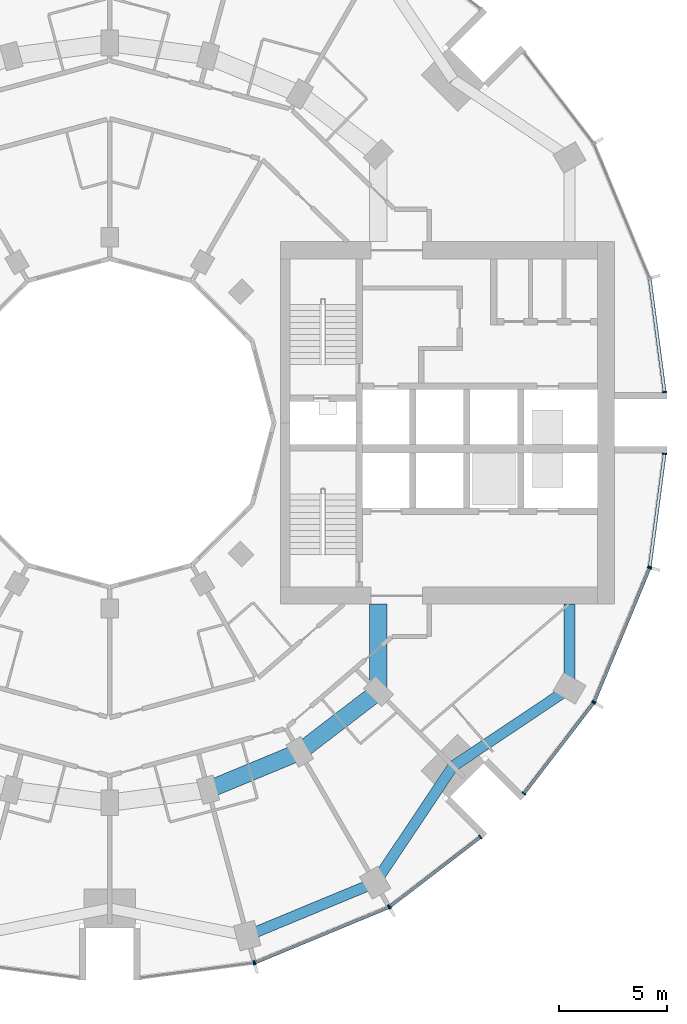
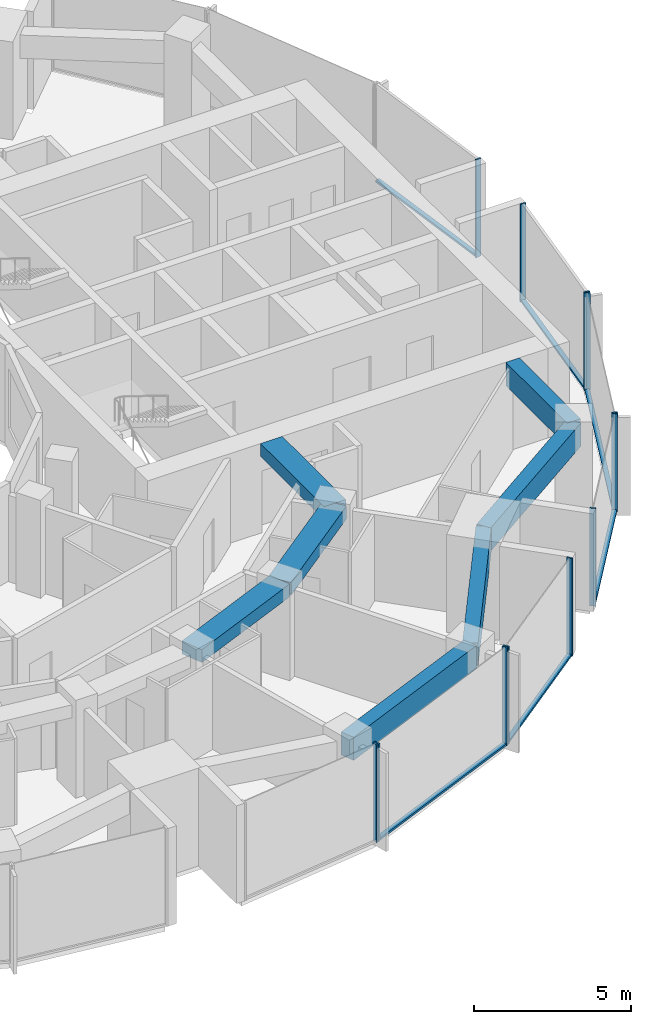
# One storey, part 4 of 15: 18 members, 7 beams, 7 elements without a shape of their own.
"""IFC4 building model written with IfcOpenShell, lengths in metres."""

import ifcopenshell
import ifcopenshell.guid

model = None  # the IFC model being written
_history = None  # IfcOwnerHistory: only IFC2X3 demands one
_inside = {}  # id of a spatial element -> (the spatial element, [elements in it])
_under = {}  # id of a project, library or spatial element -> (it, [spatial elements below it])
_declared = {}  # id of a project -> (the project, [libraries it declares])
_typed = {}  # id of a type object -> (the type object, [elements of that type])
_made_of = {}  # id of a material, layer set ... -> (it, [elements and type objects made of it])


def new_model(schema):
    """Start an empty IFC model of exactly this schema.

    Asked for "IFC4X3", IfcOpenShell would pick the latest addendum, in which some entities
    have other attributes; the version numbers below select the first issue.
    IFC2X3 requires an IfcOwnerHistory on every rooted entity: one is made here for all.
    """
    global model, _history
    if schema == "IFC4X3":
        model = ifcopenshell.file(schema_version=(4, 3, 0, 0))
    else:
        model = ifcopenshell.file(schema=schema)
    _inside.clear()
    _under.clear()
    _declared.clear()
    _typed.clear()
    _made_of.clear()
    _history = None
    if model.schema == "IFC2X3":
        org = make("IfcOrganization", Name="unknown")
        user = make(
            "IfcPersonAndOrganization",
            ThePerson=make("IfcPerson", FamilyName="unknown"),
            TheOrganization=org,
        )
        app = make(
            "IfcApplication",
            ApplicationDeveloper=org,
            Version="unknown",
            ApplicationFullName="unknown",
            ApplicationIdentifier="unknown",
        )
        _history = make(
            "IfcOwnerHistory",
            OwningUser=user,
            OwningApplication=app,
            ChangeAction="ADDED",
            CreationDate=0,
        )
    return model


def make(cls, **values):
    """One entity of the class cls with the attributes given. An attribute that is None is left unset."""
    return model.create_entity(
        cls, **{name: value for name, value in values.items() if value is not None}
    )


def rooted(cls, **values):
    """An entity with a GlobalId (a new one), such as an element, a storey or a relation."""
    return make(cls, GlobalId=ifcopenshell.guid.new(), OwnerHistory=_history, **values)


def si_unit(unit_type, name, prefix=None):
    """IfcSIUnit, for example si_unit("LENGTHUNIT", "METRE", prefix="MILLI")."""
    return make("IfcSIUnit", UnitType=unit_type, Prefix=prefix, Name=name)


def assignment(units):
    """IfcUnitAssignment: the units of a project."""
    return None if units is None else make("IfcUnitAssignment", Units=units)


def point(xyz):
    """IfcCartesianPoint."""
    return None if xyz is None else make("IfcCartesianPoint", Coordinates=xyz)


def direction(xyz):
    """IfcDirection."""
    return None if xyz is None else make("IfcDirection", DirectionRatios=xyz)


def frame(location, z_axis=None, x_axis=None):
    """IfcAxis2Placement3D, a coordinate frame: its origin and axes. An axis left out is left unset."""
    return make(
        "IfcAxis2Placement3D",
        Location=point(location),
        Axis=direction(z_axis),
        RefDirection=direction(x_axis),
    )


def frame_2d(location, x_axis=None):
    """IfcAxis2Placement2D, a coordinate frame in the plane: its origin and x axis."""
    return make(
        "IfcAxis2Placement2D", Location=point(location), RefDirection=direction(x_axis)
    )


def origin():
    """The frame at (0, 0, 0) with its axes left unset."""
    return frame((0.0, 0.0, 0.0))


def origin_2d():
    """The frame at (0, 0) in the plane with its x axis left unset."""
    return frame_2d((0.0, 0.0))


def place(relative_to, where):
    """IfcLocalPlacement: puts the frame where relative to a parent placement (None: the world)."""
    return make(
        "IfcLocalPlacement", PlacementRelTo=relative_to, RelativePlacement=where
    )


def context(
    kind, dimensions, precision=None, world=None, true_north=None, identifier=None
):
    """IfcGeometricRepresentationContext, for example the 3D "Model" context."""
    return make(
        "IfcGeometricRepresentationContext",
        ContextIdentifier=identifier,
        ContextType=kind,
        CoordinateSpaceDimension=dimensions,
        Precision=precision,
        WorldCoordinateSystem=world,
        TrueNorth=true_north,
    )


def subcontext(parent, identifier, kind, view, scale=None):
    """IfcGeometricRepresentationSubContext, for example "Body" below "Model"."""
    return make(
        "IfcGeometricRepresentationSubContext",
        ContextIdentifier=identifier,
        ContextType=kind,
        ParentContext=parent,
        TargetScale=scale,
        TargetView=view,
    )


def project(units=None, contexts=None):
    """IfcProject with its units and contexts."""
    return rooted(
        "IfcProject",
        Name="project",
        RepresentationContexts=contexts,
        UnitsInContext=assignment(units),
    )


def spatial(cls, under=None, at=None, **own):
    """A site, building, storey or space (cls), placed at a placement, below another one or the project."""
    s = rooted(cls, ObjectPlacement=at, **own)
    if under is not None:
        _under.setdefault(under.id(), (under, []))[1].append(s)
    return s


def profile(cls, at=None, kind="AREA", **sizes):
    """A parametric profile (cls). Its sizes go by their IFC names, for example OverallWidth=200.0."""
    return make(cls, ProfileType=kind, Position=at, **sizes)


def rectangle(**sizes):
    """IfcRectangleProfileDef."""
    return profile("IfcRectangleProfileDef", **sizes)


def extrude(swept, where, along, depth):
    """IfcExtrudedAreaSolid: the profile swept, set in the frame where, extruded along a direction by depth."""
    return make(
        "IfcExtrudedAreaSolid",
        SweptArea=swept,
        Position=where,
        ExtrudedDirection=direction(along),
        Depth=depth,
    )


def shape(context_of_items, identifier, shape_type, items):
    """IfcShapeRepresentation: the items that make up one representation, for example the "Body"."""
    return make(
        "IfcShapeRepresentation",
        ContextOfItems=context_of_items,
        RepresentationIdentifier=identifier,
        RepresentationType=shape_type,
        Items=items,
    )


def material(Name=None, Category=None):
    """IfcMaterial."""
    return make("IfcMaterial", Name=Name, Category=Category)


def layer(
    of_material, thickness, ventilated=None, Name=None, Category=None, Priority=None
):
    """IfcMaterialLayer: one layer of a wall or slab, of a material (None: an air gap)."""
    return make(
        "IfcMaterialLayer",
        Material=of_material,
        LayerThickness=thickness,
        IsVentilated=ventilated,
        Name=Name,
        Category=Category,
        Priority=Priority,
    )


def layer_set(layers, Name=None):
    """IfcMaterialLayerSet."""
    return make("IfcMaterialLayerSet", MaterialLayers=layers, LayerSetName=Name)


def material_profile(
    of_material, cross_section, Name=None, Category=None, Priority=None
):
    """IfcMaterialProfile: a cross section and its material."""
    return make(
        "IfcMaterialProfile",
        Name=Name,
        Material=of_material,
        Profile=cross_section,
        Priority=Priority,
        Category=Category,
    )


def profile_set(profiles, Name=None, composite=None):
    """IfcMaterialProfileSet."""
    return make(
        "IfcMaterialProfileSet",
        Name=Name,
        MaterialProfiles=profiles,
        CompositeProfile=composite,
    )


def made_of(thing, what):
    """Note that an element or type object is made of a material, layer set ...; save() writes the relation."""
    if what is not None:
        _made_of.setdefault(what.id(), (what, []))[1].append(thing)
    return thing


def type_object(cls, material=None, **own):
    """A type object (cls), such as IfcWallType, which elements share."""
    return made_of(rooted(cls, **own), material)


def element(
    cls,
    number,
    at=None,
    inside=None,
    cuts=None,
    type_object=None,
    material=None,
    context=None,
    identifier="Body",
    shape_type=None,
    held_by="IfcProductDefinitionShape",
    body=None,
    shapes=None,
    **own,
):
    """One element of the class cls, such as IfcWall. Its Tag is "e" and its number.

    at: its placement. inside: the storey or other place that contains it. cuts: it is an
    opening in that element (IfcRelVoidsElement). A single representation is given by context,
    identifier, shape_type and body (its items); several are given by shapes. held_by: the class
    of the entity that holds the representations. save() writes the other relations.
    """
    e = rooted(cls, Tag="e%d" % number, ObjectPlacement=at, **own)
    if body is not None:
        shapes = [shape(context, identifier, shape_type, body)]
    if shapes is not None:
        e.Representation = make(held_by, Representations=shapes)
    if inside is not None:
        _inside.setdefault(inside.id(), (inside, []))[1].append(e)
    if cuts is not None:
        rooted(
            "IfcRelVoidsElement", RelatingBuildingElement=cuts, RelatedOpeningElement=e
        )
    if type_object is not None:
        _typed.setdefault(type_object.id(), (type_object, []))[1].append(e)
    return made_of(e, material)


def aggregate(whole, parts):
    """IfcRelAggregates: a whole, such as a stair, and the parts it consists of."""
    return rooted("IfcRelAggregates", RelatingObject=whole, RelatedObjects=parts)


def save(model, path):
    """Write the relations noted so far, then the file.

    IfcRelAggregates (storeys below a building ...), IfcRelContainedInSpatialStructure (elements
    in a storey), IfcRelDefinesByType, IfcRelAssociatesMaterial and IfcRelDeclares: one each for
    every whole, place, type object, material and project.
    """
    for whole, parts in _under.values():
        aggregate(whole, parts)
    for where, things in _inside.values():
        rooted(
            "IfcRelContainedInSpatialStructure",
            RelatedElements=things,
            RelatingStructure=where,
        )
    for kind, things in _typed.values():
        rooted("IfcRelDefinesByType", RelatedObjects=things, RelatingType=kind)
    for what, things in _made_of.values():
        rooted("IfcRelAssociatesMaterial", RelatedObjects=things, RelatingMaterial=what)
    for by, libraries in _declared.values():
        rooted("IfcRelDeclares", RelatingContext=by, RelatedDefinitions=libraries)
    model.write(path)


model = new_model("IFC4")

# Units and contexts
model_context = context("Model", 3, precision=1e-05, world=origin(), true_north=direction((0.0, 1.0)))
body_context = subcontext(model_context, "Body", "Model", "MODEL_VIEW")
ifc_project = project(units=[si_unit("LENGTHUNIT", "METRE"), si_unit("AREAUNIT", "SQUARE_METRE"), si_unit("VOLUMEUNIT", "CUBIC_METRE"), si_unit("PLANEANGLEUNIT", "RADIAN"), si_unit("MASSUNIT", "GRAM", prefix="KILO")], contexts=[model_context])

# Site, building, storey
site_placement = place(None, origin())
site = spatial("IfcSite", under=ifc_project, at=site_placement, CompositionType="ELEMENT")
building_placement = place(site_placement, origin())
building = spatial("IfcBuilding", under=site, at=building_placement, Name="Torre Brocal", CompositionType="ELEMENT")
storey_placement = place(building_placement, frame((0.0, 0.0, 59.199951171875)))
storey = spatial("IfcBuildingStorey", under=building, at=storey_placement, Name="L13", CompositionType="ELEMENT", Elevation=59.199951171875)

# Curtain wall, member
ifc_material_1 = material(Name="Aluminium and glass", Category="aluminium")
ifc_layer_1 = layer(ifc_material_1, 0.199951171875)
ifc_layer_set_1 = layer_set([ifc_layer_1], Name="Aluminium and glass")
curtain_wall_type_1 = type_object("IfcCurtainWallType", Name="CW-1 CURTAIN WALL 3800 HIGH", PredefinedType="NOTDEFINED", material=ifc_layer_set_1)
curtain_wall_1_placement = place(storey_placement, origin())
curtain_wall_1 = element("IfcCurtainWall", 1, at=curtain_wall_1_placement, inside=storey, type_object=curtain_wall_type_1, Name="CW-1 RUN 19", PredefinedType="NOTDEFINED")
ifc_material_2 = material(Name="Aluminium, dark anodised", Category="aluminium")
ifc_material_profile_1 = material_profile(ifc_material_2, rectangle(XDim=0.199951171875, YDim=0.06005859375, at=origin_2d()), Name="CW-1 MULLION 60X200")
ifc_profile_set_1 = profile_set([ifc_material_profile_1], Name="Aluminium, dark anodised")
member_type_1 = type_object("IfcMemberType", Name="CW-1 MULLION 60X200", PredefinedType="MULLION", material=ifc_profile_set_1)
member_1_placement = place(storey_placement, frame((86.67333984375, 49.9794921875, 0.0), z_axis=(0.0, 0.0, 1.0), x_axis=(-0.13052619222, 0.991444861374, 0.0)))
member_1 = element("IfcMember", 2, at=member_1_placement, type_object=member_type_1, Name="CW1-1 mullion 2", PredefinedType="MULLION", context=body_context, shape_type="SweptSolid", body=[
    extrude(rectangle(XDim=0.199951171875, YDim=0.06005859375, at=origin_2d()), origin(), (0.0, 0.0, 1.0), 3.800048828125),
])
aggregate(curtain_wall_1, [member_1])

# Curtain wall, members
curtain_wall_2_placement = place(storey_placement, origin())
curtain_wall_2 = element("IfcCurtainWall", 3, at=curtain_wall_2_placement, inside=storey, type_object=curtain_wall_type_1, Name="CW-1 RUN 20", PredefinedType="NOTDEFINED")
member_2_placement = place(storey_placement, frame((86.73095703125, 49.994873046875, 0.0), z_axis=(0.0, 0.0, 1.0), x_axis=(-0.382683432333, 0.923879532525, 0.0)))
member_2 = element("IfcMember", 4, at=member_2_placement, type_object=member_type_1, Name="CW1-1 mullion 1", PredefinedType="MULLION", context=body_context, shape_type="SweptSolid", body=[
    extrude(rectangle(XDim=0.199951171875, YDim=0.06005859375, at=origin_2d()), origin(), (0.0, 0.0, 1.0), 3.800048828125),
])
member_3_placement = place(storey_placement, frame((92.921875, 52.559326171875, 0.0), z_axis=(0.0, 0.0, 1.0), x_axis=(-0.382683432333, 0.923879532525, 0.0)))
member_3 = element("IfcMember", 5, at=member_3_placement, type_object=member_type_1, Name="CW1-1 mullion 2", PredefinedType="MULLION", context=body_context, shape_type="SweptSolid", body=[
    extrude(rectangle(XDim=0.199951171875, YDim=0.06005859375, at=origin_2d()), origin(), (0.0, 0.0, 1.0), 3.800048828125),
])

curtain_wall_3_placement = place(storey_placement, origin())
curtain_wall_3 = element("IfcCurtainWall", 6, at=curtain_wall_3_placement, inside=storey, type_object=curtain_wall_type_1, Name="CW-1 RUN 21", PredefinedType="NOTDEFINED")
member_4_placement = place(storey_placement, frame((92.973388671875, 52.5888671875, 0.0), z_axis=(0.0, 0.0, 1.0), x_axis=(-0.60876142905, 0.793353340259, 0.0)))
member_4 = element("IfcMember", 7, at=member_4_placement, type_object=member_type_1, Name="CW1-1 mullion 1", PredefinedType="MULLION", context=body_context, shape_type="SweptSolid", body=[
    extrude(rectangle(XDim=0.199951171875, YDim=0.06005859375, at=origin_2d()), origin(), (0.0, 0.0, 1.0), 3.800048828125),
])
member_5_placement = place(storey_placement, frame((97.16943359375, 55.80859375, 0.0), z_axis=(0.0, 0.0, 1.0), x_axis=(-0.60876142905, 0.793353340259, 0.0)))
member_5 = element("IfcMember", 8, at=member_5_placement, type_object=member_type_1, Name="CW1-1 mullion 2", PredefinedType="MULLION", context=body_context, shape_type="SweptSolid", body=[
    extrude(rectangle(XDim=0.199951171875, YDim=0.06005859375, at=origin_2d()), origin(), (0.0, 0.0, 1.0), 3.800048828125),
])

curtain_wall_4_placement = place(storey_placement, origin())
curtain_wall_4 = element("IfcCurtainWall", 9, at=curtain_wall_4_placement, inside=storey, type_object=curtain_wall_type_1, Name="CW-1 RUN 22", PredefinedType="NOTDEFINED")
member_6_placement = place(storey_placement, frame((99.19140625, 57.83056640625, 0.0), z_axis=(0.0, 0.0, 1.0), x_axis=(-0.793353340259, 0.60876142905, 0.0)))
member_6 = element("IfcMember", 10, at=member_6_placement, type_object=member_type_1, Name="CW1-1 mullion 1", PredefinedType="MULLION", context=body_context, shape_type="SweptSolid", body=[
    extrude(rectangle(XDim=0.199951171875, YDim=0.06005859375, at=origin_2d()), origin(), (0.0, 0.0, 1.0), 3.800048828125),
])
member_7_placement = place(storey_placement, frame((102.4111328125, 62.026611328125, 0.0), z_axis=(0.0, 0.0, 1.0), x_axis=(-0.793353340259, 0.60876142905, 0.0)))
member_7 = element("IfcMember", 11, at=member_7_placement, type_object=member_type_1, Name="CW1-1 mullion 2", PredefinedType="MULLION", context=body_context, shape_type="SweptSolid", body=[
    extrude(rectangle(XDim=0.199951171875, YDim=0.06005859375, at=origin_2d()), origin(), (0.0, 0.0, 1.0), 3.800048828125),
])

curtain_wall_5_placement = place(storey_placement, origin())
curtain_wall_5 = element("IfcCurtainWall", 12, at=curtain_wall_5_placement, inside=storey, type_object=curtain_wall_type_1, Name="CW-1 RUN 23", PredefinedType="NOTDEFINED")
member_8_placement = place(storey_placement, frame((102.440673828125, 62.078125, 0.0), z_axis=(0.0, 0.0, 1.0), x_axis=(-0.923879532525, 0.382683432333, 0.0)))
member_8 = element("IfcMember", 13, at=member_8_placement, type_object=member_type_1, Name="CW1-1 mullion 1", PredefinedType="MULLION", context=body_context, shape_type="SweptSolid", body=[
    extrude(rectangle(XDim=0.199951171875, YDim=0.06005859375, at=origin_2d()), origin(), (0.0, 0.0, 1.0), 3.800048828125),
])
member_9_placement = place(storey_placement, frame((105.005126953125, 68.26904296875, 0.0), z_axis=(0.0, 0.0, 1.0), x_axis=(-0.923879532525, 0.382683432333, 0.0)))
member_9 = element("IfcMember", 14, at=member_9_placement, type_object=member_type_1, Name="CW1-1 mullion 2", PredefinedType="MULLION", context=body_context, shape_type="SweptSolid", body=[
    extrude(rectangle(XDim=0.199951171875, YDim=0.06005859375, at=origin_2d()), origin(), (0.0, 0.0, 1.0), 3.800048828125),
])

# Member
ifc_material_3 = material(Name="Aluminium, dark anodised", Category="aluminium")
ifc_material_profile_2 = material_profile(ifc_material_3, rectangle(XDim=0.159912109375, YDim=0.080078125, at=origin_2d()), Name="CW-1 TRANSOM 160X80")
ifc_profile_set_2 = profile_set([ifc_material_profile_2], Name="Aluminium, dark anodised")
member_type_2 = type_object("IfcMemberType", Name="CW-1 TRANSOM 160X80", PredefinedType="USERDEFINED", material=ifc_profile_set_2)
member_10_placement = place(storey_placement, frame((86.758544921875, 50.00634765625, 0.0400390625), z_axis=(0.923887344364, 0.38266457234, 0.0), x_axis=(-0.38266457234, 0.923887344364, 0.0)))
member_10 = element("IfcMember", 15, at=member_10_placement, type_object=member_type_2, Name="CW1-1 transom 1.1", ObjectType="TRANSOM", PredefinedType="USERDEFINED", context=body_context, shape_type="SweptSolid", body=[
    extrude(rectangle(XDim=0.159912109375, YDim=0.080078125, at=origin_2d()), origin(), (0.0, 0.0, 1.0), 6.640869140625),
])

aggregate(curtain_wall_2, [member_2, member_3, member_10])

member_11_placement = place(storey_placement, frame((92.9970703125, 52.607177734375, 0.0400390625), z_axis=(0.79336281513, 0.60874908096, 0.0), x_axis=(-0.60874908096, 0.79336281513, 0.0)))
member_11 = element("IfcMember", 16, at=member_11_placement, type_object=member_type_2, Name="CW1-1 transom 1.1", ObjectType="TRANSOM", PredefinedType="USERDEFINED", context=body_context, shape_type="SweptSolid", body=[
    extrude(rectangle(XDim=0.159912109375, YDim=0.080078125, at=origin_2d()), origin(), (0.0, 0.0, 1.0), 5.22900390625),
])

aggregate(curtain_wall_3, [member_4, member_5, member_11])

member_12_placement = place(storey_placement, frame((99.209716796875, 57.8544921875, 0.0400390625), z_axis=(0.60874908096, 0.79336281513, 0.0), x_axis=(-0.79336281513, 0.60874908096, 0.0)))
member_12 = element("IfcMember", 17, at=member_12_placement, type_object=member_type_2, Name="CW1-1 transom 1.1", ObjectType="TRANSOM", PredefinedType="USERDEFINED", context=body_context, shape_type="SweptSolid", body=[
    extrude(rectangle(XDim=0.159912109375, YDim=0.080078125, at=origin_2d()), origin(), (0.0, 0.0, 1.0), 5.22900390625),
])

aggregate(curtain_wall_4, [member_6, member_7, member_12])

member_13_placement = place(storey_placement, frame((102.452392578125, 62.10595703125, 0.0400390625), z_axis=(0.38266457234, 0.923887344364, 0.0), x_axis=(-0.923887344364, 0.38266457234, 0.0)))
member_13 = element("IfcMember", 18, at=member_13_placement, type_object=member_type_2, Name="CW1-1 transom 1.1", ObjectType="TRANSOM", PredefinedType="USERDEFINED", context=body_context, shape_type="SweptSolid", body=[
    extrude(rectangle(XDim=0.159912109375, YDim=0.080078125, at=origin_2d()), origin(), (0.0, 0.0, 1.0), 6.640869140625),
])

aggregate(curtain_wall_5, [member_8, member_9, member_13])

# Curtain wall, member
ifc_material_4 = material(Name="Aluminium and glass", Category="aluminium")
ifc_layer_2 = layer(ifc_material_4, 0.199951171875)
ifc_layer_set_2 = layer_set([ifc_layer_2], Name="Aluminium and glass")
curtain_wall_type_2 = type_object("IfcCurtainWallType", Name="CW-1B CURTAIN WALL 3800 HIGH", PredefinedType="NOTDEFINED", material=ifc_layer_set_2)
curtain_wall_6_placement = place(storey_placement, origin())
curtain_wall_6 = element("IfcCurtainWall", 19, at=curtain_wall_6_placement, inside=storey, type_object=curtain_wall_type_2, Name="CW-1B RUN 1", PredefinedType="NOTDEFINED")
ifc_material_5 = material(Name="Aluminium, dark anodised", Category="aluminium")
ifc_material_profile_3 = material_profile(ifc_material_5, rectangle(XDim=0.199951171875, YDim=0.06005859375, at=origin_2d()), Name="CW-1B MULLION 60X200")
ifc_profile_set_3 = profile_set([ifc_material_profile_3], Name="Aluminium, dark anodised")
member_type_3 = type_object("IfcMemberType", Name="CW-1B MULLION 60X200", PredefinedType="MULLION", material=ifc_profile_set_3)
member_14_placement = place(storey_placement, frame((105.7109375, 76.4296875, 0.0), z_axis=(0.0, 0.0, 1.0), x_axis=(-0.991444861374, -0.13052619222, 0.0)))
member_14 = element("IfcMember", 20, at=member_14_placement, type_object=member_type_3, Name="CW1B-1 mullion 1", PredefinedType="MULLION", context=body_context, shape_type="SweptSolid", body=[
    extrude(rectangle(XDim=0.199951171875, YDim=0.06005859375, at=origin_2d()), origin(), (0.0, 0.0, 1.0), 3.800048828125),
])

# Curtain wall, members
curtain_wall_7_placement = place(storey_placement, origin())
curtain_wall_7 = element("IfcCurtainWall", 21, at=curtain_wall_7_placement, inside=storey, type_object=curtain_wall_type_2, Name="CW-1B RUN 24", PredefinedType="NOTDEFINED")
member_15_placement = place(storey_placement, frame((105.0205078125, 68.32666015625, 0.0), z_axis=(0.0, 0.0, 1.0), x_axis=(-0.991444861374, 0.13052619222, 0.0)))
member_15 = element("IfcMember", 22, at=member_15_placement, type_object=member_type_3, Name="CW1B-1 mullion 1", PredefinedType="MULLION", context=body_context, shape_type="SweptSolid", body=[
    extrude(rectangle(XDim=0.199951171875, YDim=0.06005859375, at=origin_2d()), origin(), (0.0, 0.0, 1.0), 3.800048828125),
])
member_16_placement = place(storey_placement, frame((105.7109375, 73.5703125, 0.0), z_axis=(0.0, 0.0, 1.0), x_axis=(-0.991444861374, 0.13052619222, 0.0)))
member_16 = element("IfcMember", 23, at=member_16_placement, type_object=member_type_3, Name="CW1B-1 mullion 2", PredefinedType="MULLION", context=body_context, shape_type="SweptSolid", body=[
    extrude(rectangle(XDim=0.199951171875, YDim=0.06005859375, at=origin_2d()), origin(), (0.0, 0.0, 1.0), 3.800048828125),
])

# Member
ifc_material_6 = material(Name="Aluminium, dark anodised", Category="aluminium")
ifc_material_profile_4 = material_profile(ifc_material_6, rectangle(XDim=0.159912109375, YDim=0.080078125, at=origin_2d()), Name="CW-1B TRANSOM 160X80")
ifc_profile_set_4 = profile_set([ifc_material_profile_4], Name="Aluminium, dark anodised")
member_type_4 = type_object("IfcMemberType", Name="CW-1B TRANSOM 160X80", PredefinedType="USERDEFINED", material=ifc_profile_set_4)
member_17_placement = place(storey_placement, frame((105.70703125, 76.45947265625, 0.0400390625), z_axis=(-0.130542677827, 0.991442690863, 0.0), x_axis=(-0.991442690863, -0.130542677827, 0.0)))
member_17 = element("IfcMember", 24, at=member_17_placement, type_object=member_type_4, Name="CW1B-1 transom 1.1", ObjectType="TRANSOM", PredefinedType="USERDEFINED", context=body_context, shape_type="SweptSolid", body=[
    extrude(rectangle(XDim=0.159912109375, YDim=0.080078125, at=origin_2d()), origin(), (0.0, 0.0, 1.0), 5.22900390625),
])

aggregate(curtain_wall_6, [member_14, member_17])

member_18_placement = place(storey_placement, frame((105.0244140625, 68.356201171875, 0.0400390625), z_axis=(0.130542677827, 0.991442690863, 0.0), x_axis=(-0.991442690863, 0.130542677827, 0.0)))
member_18 = element("IfcMember", 25, at=member_18_placement, type_object=member_type_4, Name="CW1B-1 transom 1.1", ObjectType="TRANSOM", PredefinedType="USERDEFINED", context=body_context, shape_type="SweptSolid", body=[
    extrude(rectangle(XDim=0.159912109375, YDim=0.080078125, at=origin_2d()), origin(), (0.0, 0.0, 1.0), 5.22900390625),
])

aggregate(curtain_wall_7, [member_15, member_16, member_18])

# Beams
ifc_material_7 = material(Name="Concrete C50", Category="concrete")
ifc_material_profile_5 = material_profile(ifc_material_7, rectangle(XDim=0.800048828125, YDim=0.5, at=origin_2d()), Name="RC 800X500")
ifc_profile_set_5 = profile_set([ifc_material_profile_5], Name="Concrete C50")
beam_type_1 = type_object("IfcBeamType", Name="RC BEAM 800X500 C50 TOP 3480", PredefinedType="BEAM", material=ifc_profile_set_5)
beam_1_placement = place(storey_placement, frame((84.55517578125, 57.999755859375, 3.22998046875), z_axis=(0.923878240166, 0.382686552348, 0.0), x_axis=(-0.382686552348, 0.923878240166, 0.0)))
element("IfcBeam", 26, at=beam_1_placement, inside=storey, type_object=beam_type_1, Name="Beam BT-19", PredefinedType="BEAM", context=body_context, shape_type="SweptSolid", body=[
    extrude(rectangle(XDim=0.800048828125, YDim=0.5, at=origin_2d()), origin(), (0.0, 0.0, 1.0), 4.5947265625),
])
beam_2_placement = place(storey_placement, frame((88.800048828125, 59.758056640625, 3.22998046875), z_axis=(0.793358265959, 0.6087550097, 0.0), x_axis=(-0.6087550097, 0.793358265959, 0.0)))
element("IfcBeam", 27, at=beam_2_placement, inside=storey, type_object=beam_type_1, Name="Beam BT-19", PredefinedType="BEAM", context=body_context, shape_type="SweptSolid", body=[
    extrude(rectangle(XDim=0.800048828125, YDim=0.5, at=origin_2d()), origin(), (0.0, 0.0, 1.0), 4.594482421875),
])
beam_3_placement = place(storey_placement, frame((92.445068359375, 62.554931640625, 3.22998046875), z_axis=(0.0, 1.0, 0.0), x_axis=(-1.0, 0.0, 0.0)))
element("IfcBeam", 28, at=beam_3_placement, inside=storey, type_object=beam_type_1, Name="Beam BT-19", PredefinedType="BEAM", context=body_context, shape_type="SweptSolid", body=[
    extrude(rectangle(XDim=0.800048828125, YDim=0.5, at=origin_2d()), origin(), (0.0, 0.0, 1.0), 4.045166015625),
])
ifc_material_8 = material(Name="Concrete C50", Category="concrete")
ifc_material_profile_6 = material_profile(ifc_material_8, rectangle(XDim=0.5, YDim=0.89990234375, at=origin_2d()), Name="RC 500X900")
ifc_profile_set_6 = profile_set([ifc_material_profile_6], Name="Concrete C50")
beam_type_2 = type_object("IfcBeamType", Name="RC SPANDREL BEAM 500X900 C50 TOP 3480", PredefinedType="SPANDREL", material=ifc_profile_set_6)
beam_4_placement = place(storey_placement, frame((86.366943359375, 51.23828125, 3.030029296875), z_axis=(0.923882462513, 0.382676358639, 0.0), x_axis=(-0.382676358639, 0.923882462513, 0.0)))
element("IfcBeam", 29, at=beam_4_placement, inside=storey, type_object=beam_type_2, Name="Beam BT-20", PredefinedType="SPANDREL", context=body_context, shape_type="SweptSolid", body=[
    extrude(rectangle(XDim=0.5, YDim=0.89990234375, at=origin_2d()), origin(), (0.0, 0.0, 1.0), 6.421875),
])
for number, where, z_axis, x_axis, name in (
    (30, (92.300048828125, 53.69580078125, 3.030029296875), (0.556157602282, 0.831076844476, 0.0), (-0.831076844476, 0.556157602282, 0.0), "Beam BT-20"),
    (31, (95.909912109375, 59.090087890625, 3.030029296875), (0.831076844476, 0.556157602282, 0.0), (-0.556157602282, 0.831076844476, 0.0), "Beam BT-20"),
):
    element("IfcBeam", number, at=place(storey_placement, frame(where, z_axis=z_axis, x_axis=x_axis)), inside=storey, type_object=beam_type_2, Name=name, PredefinedType="SPANDREL", context=body_context, shape_type="SweptSolid", body=[
        extrude(rectangle(XDim=0.5, YDim=0.89990234375, at=origin_2d()), origin(), (0.0, 0.0, 1.0), 6.49072265625),
    ])
beam_5_placement = place(storey_placement, frame((101.30419921875, 62.699951171875, 3.030029296875), z_axis=(0.0, 1.0, 0.0), x_axis=(-1.0, 0.0, 0.0)))
element("IfcBeam", 32, at=beam_5_placement, inside=storey, type_object=beam_type_2, Name="Beam BT-20", PredefinedType="SPANDREL", context=body_context, shape_type="SweptSolid", body=[
    extrude(rectangle(XDim=0.5, YDim=0.89990234375, at=origin_2d()), origin(), (0.0, 0.0, 1.0), 3.900146484375),
])

save(model, "model.ifc")
